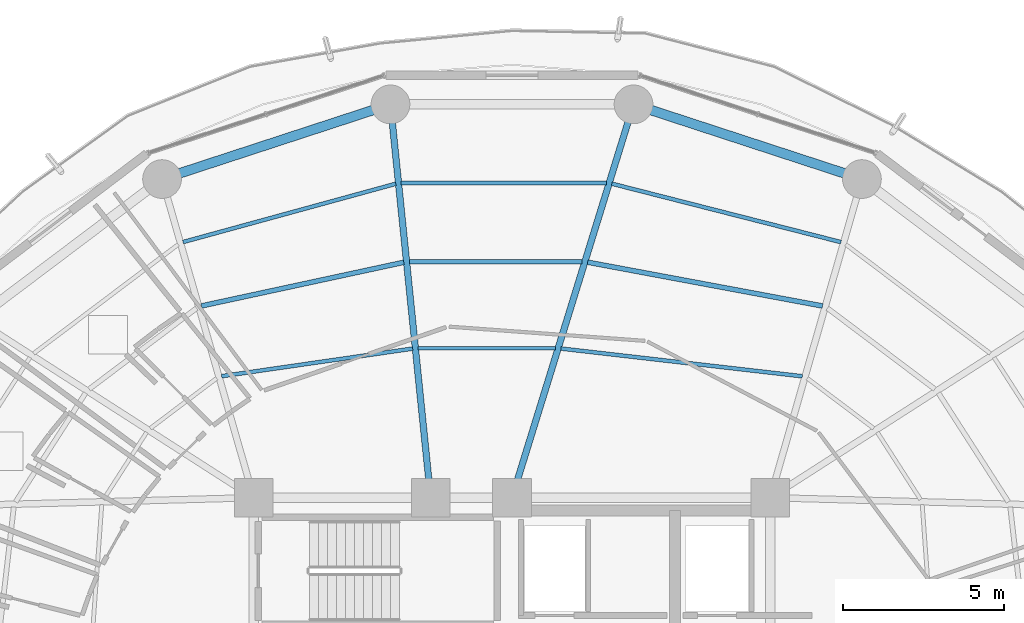
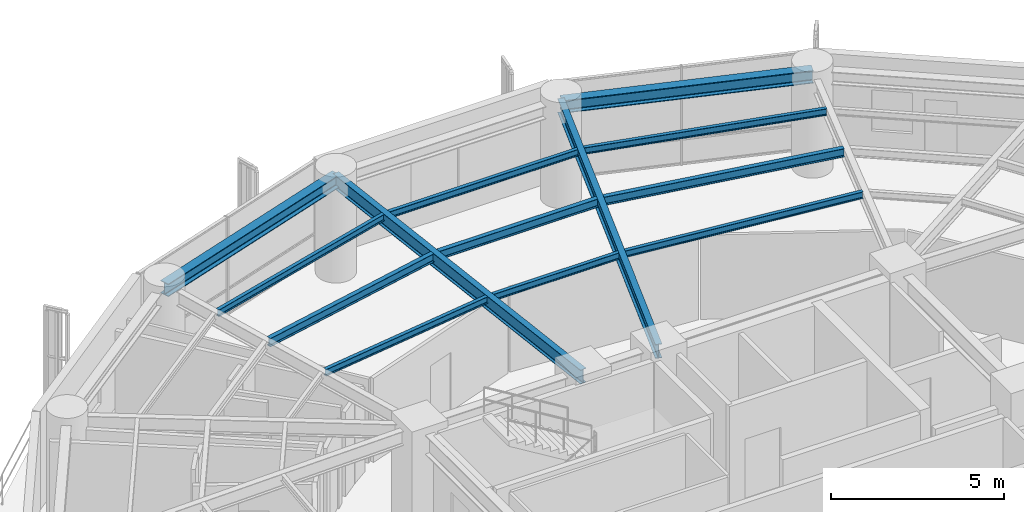
# One storey, part 17 of 27: 13 beams.
"""IFC4 building model written with IfcOpenShell, lengths in metres."""

from ifc_helpers import new_model, si_unit, direction, frame, origin, origin_2d, place, context, subcontext, project, spatial, i_section, extrude, material, material_profile, profile_set, type_object, element, save


model = new_model("IFC4")

# Units and contexts
model_context = context("Model", 3, precision=1e-05, world=origin(), true_north=direction((0.0, 1.0)))
body_context = subcontext(model_context, "Body", "Model", "MODEL_VIEW")
ifc_project = project(units=[si_unit("LENGTHUNIT", "METRE"), si_unit("AREAUNIT", "SQUARE_METRE"), si_unit("VOLUMEUNIT", "CUBIC_METRE"), si_unit("PLANEANGLEUNIT", "RADIAN"), si_unit("MASSUNIT", "GRAM", prefix="KILO")], contexts=[model_context])

# Site, building, storey
site_placement = place(None, origin())
site = spatial("IfcSite", under=ifc_project, at=site_placement, CompositionType="ELEMENT")
building_placement = place(site_placement, origin())
building = spatial("IfcBuilding", under=site, at=building_placement, Name="Kelanora Arch Commons", CompositionType="ELEMENT")
storey_placement = place(building_placement, frame((0.0, 0.0, 173.10009765625)))
storey = spatial("IfcBuildingStorey", under=building, at=storey_placement, Name="L44", CompositionType="ELEMENT", Elevation=173.10009765625)

# Beams
ifc_material = material(Name="Steel S355", Category="steel")
ifc_material_profile_1 = material_profile(ifc_material, i_section(OverallWidth=0.14990234375, OverallDepth=0.300048828125, WebThickness=0.007080078125, FlangeThickness=0.0107421875, FilletRadius=0.014892578125, at=origin_2d()), Name="IPE300")
ifc_profile_set_1 = profile_set([ifc_material_profile_1], Name="Steel S355")
beam_type_1 = type_object("IfcBeamType", Name="BM-JST-01", PredefinedType="JOIST", material=ifc_profile_set_1)
beam_1_placement = place(storey_placement, frame((83.620361328125, 70.937744140625, 3.33984375), z_axis=(-0.983054256126, 0.183314837134, 0.0), x_axis=(-0.183314837134, -0.983054256126, 0.0)))
element("IfcBeam", 1, at=beam_1_placement, inside=storey, type_object=beam_type_1, Name="Secondary Chord Joist BJB-06 L44", PredefinedType="JOIST", context=body_context, shape_type="SweptSolid", body=[
    extrude(i_section(OverallWidth=0.14990234375, OverallDepth=0.300048828125, WebThickness=0.007080078125, FlangeThickness=0.0107421875, FilletRadius=0.014892578125, at=origin_2d()), origin(), (0.0, 0.0, 1.0), 7.403564453125),
])
beam_2_placement = place(storey_placement, frame((76.173828125, 72.310546875, 3.33984375), z_axis=(-1.0, 0.0, 0.0), x_axis=(0.0, -1.0, 0.0)))
element("IfcBeam", 2, at=beam_2_placement, inside=storey, type_object=beam_type_1, Name="Secondary Chord Joist BJB-08 L44", PredefinedType="JOIST", context=body_context, shape_type="SweptSolid", body=[
    extrude(i_section(OverallWidth=0.14990234375, OverallDepth=0.300048828125, WebThickness=0.007080078125, FlangeThickness=0.0107421875, FilletRadius=0.014892578125, at=origin_2d()), origin(), (0.0, 0.0, 1.0), 5.355712890625),
])
beam_3_placement = place(storey_placement, frame((70.650146484375, 72.29248046875, 3.33984375), z_axis=(-0.977521966827, -0.210833594029, 0.0), x_axis=(0.210833594029, -0.977521966827, 0.0)))
element("IfcBeam", 3, at=beam_3_placement, inside=storey, type_object=beam_type_1, Name="Secondary Chord Joist BJB-10 L44", PredefinedType="JOIST", context=body_context, shape_type="SweptSolid", body=[
    extrude(i_section(OverallWidth=0.14990234375, OverallDepth=0.300048828125, WebThickness=0.007080078125, FlangeThickness=0.0107421875, FilletRadius=0.014892578125, at=origin_2d()), origin(), (0.0, 0.0, 1.0), 6.415283203125),
])
ifc_material_profile_2 = material_profile(ifc_material, i_section(OverallWidth=0.1201171875, OverallDepth=0.239990234375, WebThickness=0.006103515625, FlangeThickness=0.009765625, FilletRadius=0.014892578125, at=origin_2d()), Name="IPE240")
ifc_profile_set_2 = profile_set([ifc_material_profile_2], Name="Steel S355")
beam_type_2 = type_object("IfcBeamType", Name="BM-JST-02", PredefinedType="JOIST", material=ifc_profile_set_2)
beam_4_placement = place(storey_placement, frame((82.994873046875, 68.760498046875, 3.369873046875), z_axis=(-0.993457414184, 0.114203179475, 0.0), x_axis=(-0.114203179475, -0.993457414184, 0.0)))
element("IfcBeam", 4, at=beam_4_placement, inside=storey, type_object=beam_type_2, Name="Secondary Chord Joist BJA-06 L44", PredefinedType="JOIST", context=body_context, shape_type="SweptSolid", body=[
    extrude(i_section(OverallWidth=0.1201171875, OverallDepth=0.239990234375, WebThickness=0.006103515625, FlangeThickness=0.009765625, FilletRadius=0.014892578125, at=origin_2d()), origin(), (0.0, 0.0, 1.0), 7.529296875),
])
beam_5_placement = place(storey_placement, frame((84.189697265625, 72.917236328125, 3.369873046875), z_axis=(-0.96900232943, 0.247051584815, 0.0), x_axis=(-0.247051584815, -0.96900232943, 0.0)))
element("IfcBeam", 5, at=beam_5_placement, inside=storey, type_object=beam_type_2, Name="Secondary Chord Joist BJC-06 L44", PredefinedType="JOIST", context=body_context, shape_type="SweptSolid", body=[
    extrude(i_section(OverallWidth=0.1201171875, OverallDepth=0.239990234375, WebThickness=0.006103515625, FlangeThickness=0.009765625, FilletRadius=0.014892578125, at=origin_2d()), origin(), (0.0, 0.0, 1.0), 7.32275390625),
])
beam_6_placement = place(storey_placement, frame((75.345703125, 69.6298828125, 3.369873046875), z_axis=(-1.0, 0.0, 0.0), x_axis=(0.0, -1.0, 0.0)))
element("IfcBeam", 6, at=beam_6_placement, inside=storey, type_object=beam_type_2, Name="Secondary Chord Joist BJA-08 L44", PredefinedType="JOIST", context=body_context, shape_type="SweptSolid", body=[
    extrude(i_section(OverallWidth=0.1201171875, OverallDepth=0.239990234375, WebThickness=0.006103515625, FlangeThickness=0.009765625, FilletRadius=0.014892578125, at=origin_2d()), origin(), (0.0, 0.0, 1.0), 4.253662109375),
])
beam_7_placement = place(storey_placement, frame((76.9267578125, 74.747314453125, 3.369873046875), z_axis=(-1.0, 0.0, 0.0), x_axis=(0.0, -1.0, 0.0)))
element("IfcBeam", 7, at=beam_7_placement, inside=storey, type_object=beam_type_2, Name="Secondary Chord Joist BJC-08 L44", PredefinedType="JOIST", context=body_context, shape_type="SweptSolid", body=[
    extrude(i_section(OverallWidth=0.1201171875, OverallDepth=0.239990234375, WebThickness=0.006103515625, FlangeThickness=0.009765625, FilletRadius=0.014892578125, at=origin_2d()), origin(), (0.0, 0.0, 1.0), 6.357666015625),
])
beam_8_placement = place(storey_placement, frame((70.9228515625, 69.617919921875, 3.369873046875), z_axis=(-0.989718726051, -0.143027421508, 0.0), x_axis=(0.143027421508, -0.989718726051, 0.0)))
element("IfcBeam", 8, at=beam_8_placement, inside=storey, type_object=beam_type_2, Name="Secondary Chord Joist BJA-10 L44", PredefinedType="JOIST", context=body_context, shape_type="SweptSolid", body=[
    extrude(i_section(OverallWidth=0.1201171875, OverallDepth=0.239990234375, WebThickness=0.006103515625, FlangeThickness=0.009765625, FilletRadius=0.014892578125, at=origin_2d()), origin(), (0.0, 0.0, 1.0), 5.9794921875),
])
beam_9_placement = place(storey_placement, frame((70.40234375, 74.724853515625, 3.369873046875), z_axis=(-0.964456541131, -0.264241518824, 0.0), x_axis=(0.264241518824, -0.964456541131, 0.0)))
element("IfcBeam", 9, at=beam_9_placement, inside=storey, type_object=beam_type_2, Name="Secondary Chord Joist BJC-10 L44", PredefinedType="JOIST", context=body_context, shape_type="SweptSolid", body=[
    extrude(i_section(OverallWidth=0.1201171875, OverallDepth=0.239990234375, WebThickness=0.006103515625, FlangeThickness=0.009765625, FilletRadius=0.014892578125, at=origin_2d()), origin(), (0.0, 0.0, 1.0), 6.835205078125),
])
ifc_material_profile_3 = material_profile(ifc_material, i_section(OverallWidth=0.199951171875, OverallDepth=0.5, WebThickness=0.01025390625, FlangeThickness=0.01611328125, FilletRadius=0.02099609375, at=origin_2d()), Name="IPE500")
ifc_profile_set_3 = profile_set([ifc_material_profile_3], Name="Steel S355")
beam_type_3 = type_object("IfcBeamType", Name="BM-RAD-Z3", PredefinedType="BEAM", material=ifc_profile_set_3)
beam_10_placement = place(storey_placement, frame((74.0, 65.0, 3.239990234375), z_axis=(0.295210315095, 0.955432294755, 0.0), x_axis=(-0.955432294755, 0.295210315095, 0.0)))
element("IfcBeam", 10, at=beam_10_placement, inside=storey, type_object=beam_type_3, Name="Radial Floor Girder BR-08 L44", PredefinedType="BEAM", context=body_context, shape_type="SweptSolid", body=[
    extrude(i_section(OverallWidth=0.199951171875, OverallDepth=0.5, WebThickness=0.01025390625, FlangeThickness=0.01611328125, FilletRadius=0.02099609375, at=origin_2d()), origin(), (0.0, 0.0, 1.0), 12.75244140625),
])
beam_11_placement = place(storey_placement, frame((71.47998046875, 65.0, 3.239990234375), z_axis=(-0.101623200789, 0.994822961668, 0.0), x_axis=(-0.994822961668, -0.101623200789, 0.0)))
element("IfcBeam", 11, at=beam_11_placement, inside=storey, type_object=beam_type_3, Name="Radial Floor Girder BR-10 L44", PredefinedType="BEAM", context=body_context, shape_type="SweptSolid", body=[
    extrude(i_section(OverallWidth=0.199951171875, OverallDepth=0.5, WebThickness=0.01025390625, FlangeThickness=0.01611328125, FilletRadius=0.02099609375, at=origin_2d()), origin(), (0.0, 0.0, 1.0), 12.24755859375),
])
ifc_material_profile_4 = material_profile(ifc_material, i_section(OverallWidth=0.300048828125, OverallDepth=0.449951171875, WebThickness=0.013916015625, FlangeThickness=0.02587890625, FilletRadius=0.027099609375, at=origin_2d()), Name="HEB450")
ifc_profile_set_4 = profile_set([ifc_material_profile_4], Name="Steel S355")
beam_type_4 = type_object("IfcBeamType", Name="BM-SPN-Z3", PredefinedType="SPANDREL", material=ifc_profile_set_4)
for number, where, z_axis, x_axis, name in (
    (12, (84.840087890625, 74.8701171875, 3.264892578125), (-0.950461975786, 0.310840847676, 0.0), (-0.310840847676, -0.950461975786, 0.0), "Perimeter Spandrel Beam BS-06 L44"),
    (13, (70.2353515625, 77.18408203125, 3.264892578125), (-0.950461975786, -0.310840847676, 0.0), (0.310840847676, -0.950461975786, 0.0), "Perimeter Spandrel Beam BS-10 L44"),
):
    element("IfcBeam", number, at=place(storey_placement, frame(where, z_axis=z_axis, x_axis=x_axis)), inside=storey, type_object=beam_type_4, Name=name, PredefinedType="SPANDREL", context=body_context, shape_type="SweptSolid", body=[
        extrude(i_section(OverallWidth=0.300048828125, OverallDepth=0.449951171875, WebThickness=0.013916015625, FlangeThickness=0.02587890625, FilletRadius=0.027099609375, at=origin_2d()), origin(), (0.0, 0.0, 1.0), 7.444091796875),
    ])

save(model, "model.ifc")
